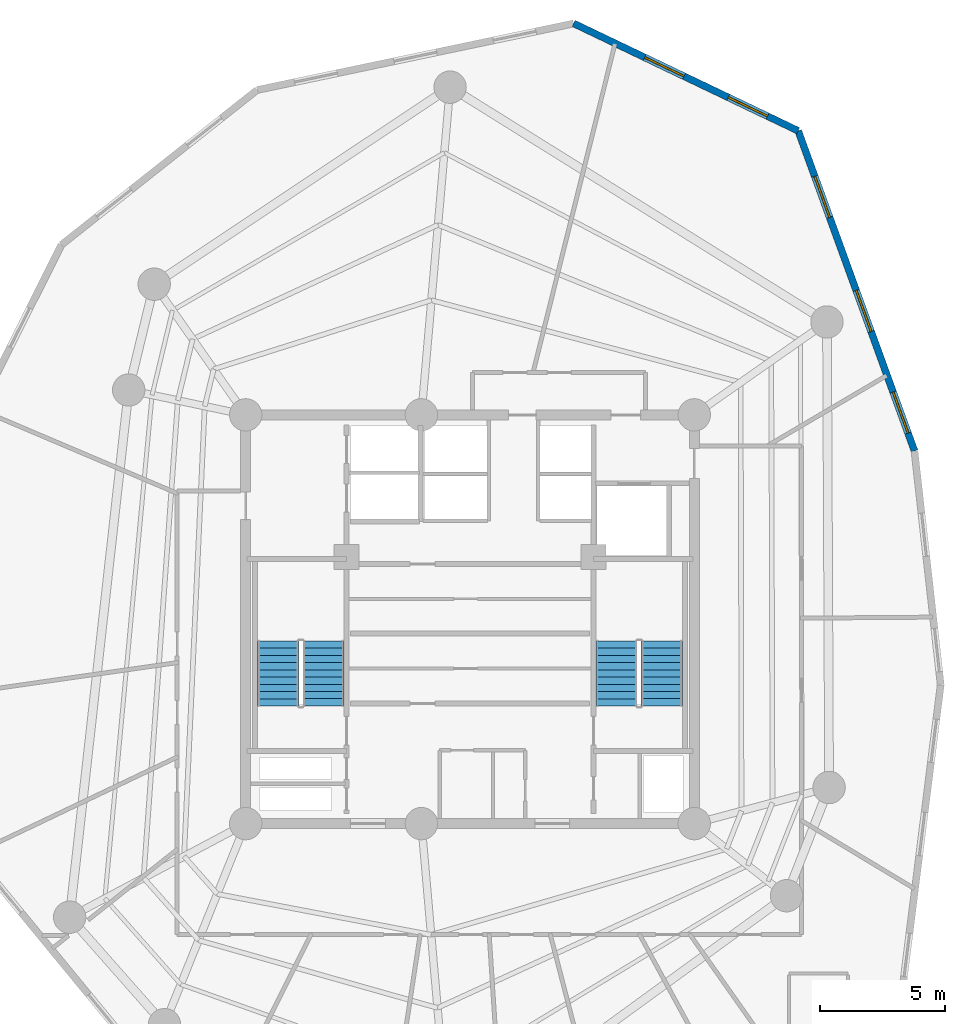
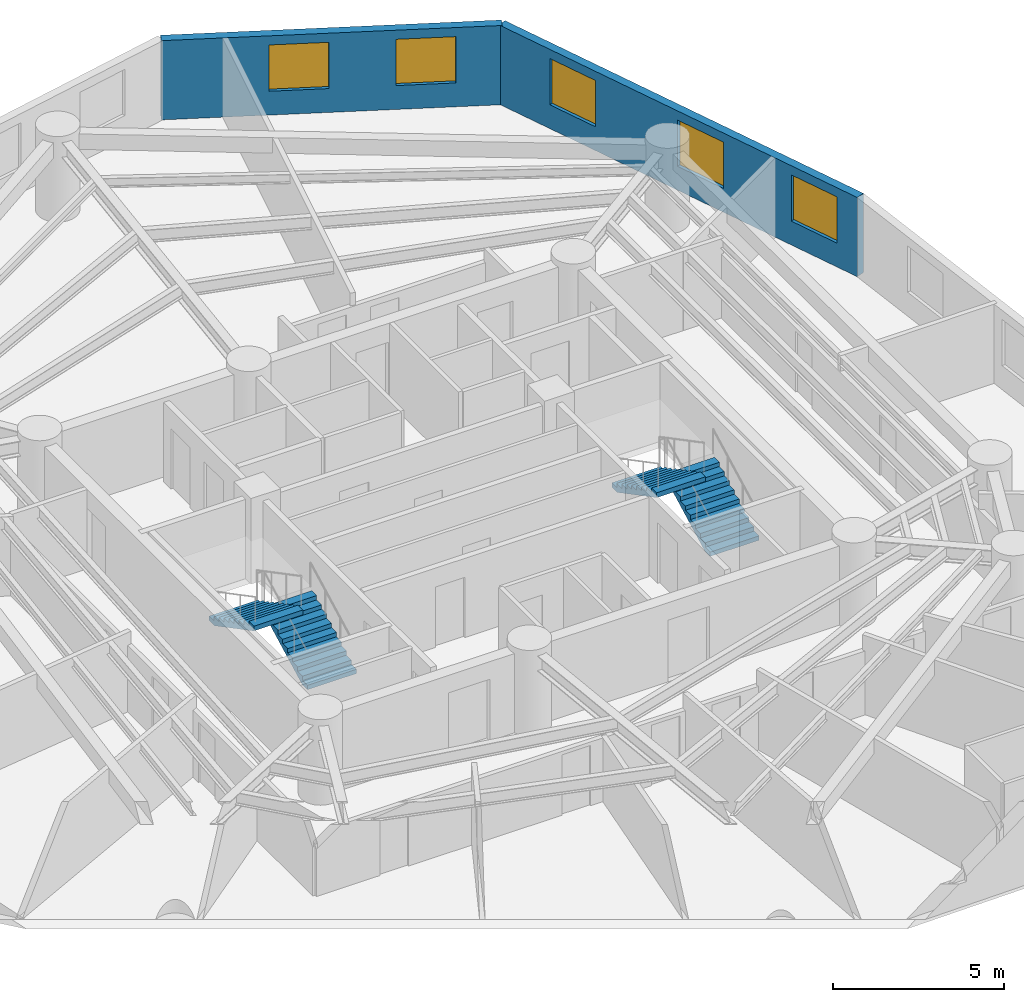
# One storey, part 6 of 7: 5 windows, 4 stair flights, 2 walls, 5 openings, 2 elements without a shape of their own.
"""IFC4 building model written with IfcOpenShell, lengths in metres."""

from ifc_helpers import new_model, si_unit, direction, frame, frame_2d, origin, origin_with_axes, place, context, subcontext, project, spatial, polyline, rectangle, outline, extrude, source, transform, mapped, material, layer, layer_set, type_object, element, fill, aggregate, save


model = new_model("IFC4")

# Units and contexts
model_context = context("Model", 3, precision=1e-05, world=origin(), true_north=direction((0.0, 1.0)))
body_context = subcontext(model_context, "Body", "Model", "MODEL_VIEW")
ifc_project = project(units=[si_unit("LENGTHUNIT", "METRE"), si_unit("AREAUNIT", "SQUARE_METRE"), si_unit("VOLUMEUNIT", "CUBIC_METRE"), si_unit("PLANEANGLEUNIT", "RADIAN"), si_unit("MASSUNIT", "GRAM", prefix="KILO")], contexts=[model_context])

# Site, building, storey
site_placement = place(None, origin())
site = spatial("IfcSite", under=ifc_project, at=site_placement, CompositionType="ELEMENT")
building_placement = place(site_placement, origin())
building = spatial("IfcBuilding", under=site, at=building_placement, Name="Karkom Vertical University and Central Library", CompositionType="ELEMENT")
storey_placement = place(building_placement, frame((0.0, 0.0, 202.300048828125)))
storey = spatial("IfcBuildingStorey", under=building, at=storey_placement, Name="L59", CompositionType="ELEMENT", Elevation=202.300048828125)

# Wall, openings, windows
ifc_material_1 = material(Name="Brick-faced precast concrete C45/55", Category="masonry")
ifc_layer = layer(ifc_material_1, 0.280029296875)
ifc_layer_set = layer_set([ifc_layer], Name="Brick-faced precast concrete C45/55")
wall_type = type_object("IfcWallType", Name="ENV-WL-BRK-280", PredefinedType="SOLIDWALL", material=ifc_layer_set)
wall_1_placement = place(storey_placement, frame((46.339111328125, 33.250732421875, 0.0), z_axis=(0.0, 0.0, 1.0), x_axis=(-0.341520791672, 0.9398742197, 0.0)))
wall_1 = element("IfcWall", 1, at=wall_1_placement, inside=storey, type_object=wall_type, Name="Level 59 Brick-Faced Precast Facade Wall 08", PredefinedType="SOLIDWALL", context=body_context, shape_type="SweptSolid", body=[
    extrude(rectangle(XDim=13.67041015625, YDim=0.280029296875, at=frame_2d((6.835205078125, 0.0))), origin(), (0.0, 0.0, 1.0), 2.824951171875),
])
opening_1_placement = place(wall_1_placement, frame((0.765380859375, 0.0, 0.85009765625)))
opening_1 = element("IfcOpeningElement", 2, at=opening_1_placement, cuts=wall_1, Name="Opening WN-08", PredefinedType="OPENING", context=body_context, shape_type="SweptSolid", body=[
    extrude(rectangle(XDim=1.75, YDim=1.64990234375, at=frame_2d((0.875, 0.824951171875))), frame((0.0, 0.14990234375, 0.0), z_axis=(0.0, -1.0, 0.0), x_axis=(1.0, 0.0, 0.0)), (0.0, 0.0, 1.0), 0.300048828125),
])
opening_2_placement = place(wall_1_placement, frame((5.10302734375, 0.0, 0.85009765625)))
opening_2 = element("IfcOpeningElement", 3, at=opening_2_placement, cuts=wall_1, Name="Opening WN-08", PredefinedType="OPENING", context=body_context, shape_type="SweptSolid", body=[
    extrude(rectangle(XDim=1.75, YDim=1.64990234375, at=frame_2d((0.875, 0.824951171875))), frame((0.0, 0.14990234375, 0.0), z_axis=(0.0, -1.0, 0.0), x_axis=(1.0, 0.0, 0.0)), (0.0, 0.0, 1.0), 0.300048828125),
])
opening_3_placement = place(wall_1_placement, frame((9.977783203125, 0.0, 0.85009765625)))
opening_3 = element("IfcOpeningElement", 4, at=opening_3_placement, cuts=wall_1, Name="Opening WN-08", PredefinedType="OPENING", context=body_context, shape_type="SweptSolid", body=[
    extrude(rectangle(XDim=1.75, YDim=1.64990234375, at=frame_2d((0.875, 0.824951171875))), frame((0.0, 0.14990234375, 0.0), z_axis=(0.0, -1.0, 0.0), x_axis=(1.0, 0.0, 0.0)), (0.0, 0.0, 1.0), 0.300048828125),
])
ifc_material_2 = material(Name="Aluminium thermal-break frame with solar-control IGU", Category="aluminium")
window_type = type_object("IfcWindowType", Name="ENV-WIN-WN-08", PartitioningType="SINGLE_PANEL", PredefinedType="WINDOW", material=ifc_material_2)
shared_shape = source(origin_with_axes(), body_context, "Body", "SweptSolid", [
    extrude(rectangle(XDim=1.75, YDim=1.64990234375, at=frame_2d((0.875, 0.824951171875))), frame((0.0, 0.030029296875, 0.0), z_axis=(0.0, -1.0, 0.0), x_axis=(1.0, 0.0, 0.0)), (0.0, 0.0, 1.0), 0.06005859375),
])
window_1_placement = place(opening_1_placement, origin())
window_1 = element("IfcWindow", 5, at=window_1_placement, inside=storey, type_object=window_type, Name="Level 59 Punched Window 8.1", OverallHeight=1.64990234375, OverallWidth=1.75, PartitioningType="SINGLE_PANEL", PredefinedType="WINDOW", context=body_context, shape_type="MappedRepresentation", body=[
    mapped(shared_shape, transform((0.0, 0.0, 0.0), scale=1.0)),
])
fill(opening_1, window_1)
window_2_placement = place(opening_2_placement, origin())
window_2 = element("IfcWindow", 6, at=window_2_placement, inside=storey, type_object=window_type, Name="Level 59 Punched Window 8.2", OverallHeight=1.64990234375, OverallWidth=1.75, PartitioningType="SINGLE_PANEL", PredefinedType="WINDOW", context=body_context, shape_type="MappedRepresentation", body=[
    mapped(shared_shape, transform((0.0, 0.0, 0.0), scale=1.0)),
])
fill(opening_2, window_2)
window_3_placement = place(opening_3_placement, origin())
window_3 = element("IfcWindow", 7, at=window_3_placement, inside=storey, type_object=window_type, Name="Level 59 Punched Window 8.3", OverallHeight=1.64990234375, OverallWidth=1.75, PartitioningType="SINGLE_PANEL", PredefinedType="WINDOW", context=body_context, shape_type="MappedRepresentation", body=[
    mapped(shared_shape, transform((0.0, 0.0, 0.0), scale=1.0)),
])
fill(opening_3, window_3)

wall_2_placement = place(storey_placement, frame((41.67041015625, 46.09912109375, 0.0), z_axis=(0.0, 0.0, 1.0), x_axis=(-0.902163587058, 0.431394091506, 0.0)))
wall_2 = element("IfcWall", 8, at=wall_2_placement, inside=storey, type_object=wall_type, Name="Level 59 Brick-Faced Precast Facade Wall 09", PredefinedType="SOLIDWALL", context=body_context, shape_type="SweptSolid", body=[
    extrude(rectangle(XDim=9.98876953125, YDim=0.280029296875, at=frame_2d((4.994384765625, 0.0))), origin(), (0.0, 0.0, 1.0), 2.824951171875),
])
opening_4_placement = place(wall_2_placement, frame((1.362548828125, 0.0, 0.85009765625)))
opening_4 = element("IfcOpeningElement", 9, at=opening_4_placement, cuts=wall_2, Name="Opening WN-08", PredefinedType="OPENING", context=body_context, shape_type="SweptSolid", body=[
    extrude(rectangle(XDim=1.75, YDim=1.64990234375, at=frame_2d((0.875, 0.824951171875))), frame((0.0, 0.14990234375, 0.0), z_axis=(0.0, -1.0, 0.0), x_axis=(1.0, 0.0, 0.0)), (0.0, 0.0, 1.0), 0.300048828125),
])
opening_5_placement = place(wall_2_placement, frame((5.077880859375, 0.0, 0.85009765625)))
opening_5 = element("IfcOpeningElement", 10, at=opening_5_placement, cuts=wall_2, Name="Opening WN-08", PredefinedType="OPENING", context=body_context, shape_type="SweptSolid", body=[
    extrude(rectangle(XDim=1.75, YDim=1.64990234375, at=frame_2d((0.875, 0.824951171875))), frame((0.0, 0.14990234375, 0.0), z_axis=(0.0, -1.0, 0.0), x_axis=(1.0, 0.0, 0.0)), (0.0, 0.0, 1.0), 0.300048828125),
])
window_4_placement = place(opening_4_placement, origin())
window_4 = element("IfcWindow", 11, at=window_4_placement, inside=storey, type_object=window_type, Name="Level 59 Punched Window 9.1", OverallHeight=1.64990234375, OverallWidth=1.75, PartitioningType="SINGLE_PANEL", PredefinedType="WINDOW", context=body_context, shape_type="MappedRepresentation", body=[
    mapped(shared_shape, transform((0.0, 0.0, 0.0), scale=1.0)),
])
fill(opening_4, window_4)
window_5_placement = place(opening_5_placement, origin())
window_5 = element("IfcWindow", 12, at=window_5_placement, inside=storey, type_object=window_type, Name="Level 59 Punched Window 9.2", OverallHeight=1.64990234375, OverallWidth=1.75, PartitioningType="SINGLE_PANEL", PredefinedType="WINDOW", context=body_context, shape_type="MappedRepresentation", body=[
    mapped(shared_shape, transform((0.0, 0.0, 0.0), scale=1.0)),
])
fill(opening_5, window_5)

# Stair, stair flights
ifc_material_3 = material(Name="Concrete C45/55", Category="concrete")
stair_type = type_object("IfcStairType", Name="INT-STR-ST-MAIN", PredefinedType="HALF_TURN_STAIR", material=ifc_material_3)
stair_1_placement = place(storey_placement, origin())
stair_1 = element("IfcStair", 13, at=stair_1_placement, inside=storey, type_object=stair_type, Name="Level 59 Tower Protected Exit Stair ST-1", PredefinedType="HALF_TURN_STAIR")
stair_flight_type = type_object("IfcStairFlightType", Name="INT-SFL-ST-MAIN", PredefinedType="STRAIGHT", material=ifc_material_3)
stair_flight_1_placement = place(storey_placement, frame((22.614990234375, 23.02001953125, 0.0), z_axis=(0.0, 0.0, 1.0), x_axis=(0.0, 1.0, 0.0)))
stair_flight_1 = element("IfcStairFlight", 14, at=stair_flight_1_placement, type_object=stair_flight_type, Name="ST-1 flight 1", NumberOfRisers=10, NumberOfTreads=9, PredefinedType="STRAIGHT", RiserHeight=0.1525, TreadLength=0.29, context=body_context, shape_type="SweptSolid", body=[
    extrude(outline(polyline([(0.0, 0.0), (0.0, 0.152587890625), (0.2900390625, 0.152587890625), (0.2900390625, 0.304931640625), (0.580078125, 0.304931640625), (0.580078125, 0.45751953125), (0.8701171875, 0.45751953125), (0.8701171875, 0.610107421875), (1.159912109375, 0.610107421875), (1.159912109375, 0.762451171875), (1.449951171875, 0.762451171875), (1.449951171875, 0.9150390625), (1.739990234375, 0.9150390625), (1.739990234375, 1.0673828125), (2.030029296875, 1.0673828125), (2.030029296875, 1.219970703125), (2.320068359375, 1.219970703125), (2.320068359375, 1.37255859375), (2.610107421875, 1.37255859375), (2.610107421875, 1.52490234375), (2.610107421875, 1.203125), (0.322021484375, 0.0), (0.0, 0.0)])), frame((0.0, 0.824951171875, 0.0), z_axis=(0.0, -1.0, 0.0), x_axis=(1.0, 0.0, 0.0)), (0.0, 0.0, 1.0), 1.64990234375),
])
stair_flight_2_placement = place(storey_placement, frame((20.804931640625, 25.6298828125, 1.52490234375), z_axis=(0.0, 0.0, 1.0), x_axis=(0.0, -1.0, 0.0)))
stair_flight_2 = element("IfcStairFlight", 15, at=stair_flight_2_placement, type_object=stair_flight_type, Name="ST-1 flight 2", NumberOfRisers=10, NumberOfTreads=9, PredefinedType="STRAIGHT", RiserHeight=0.1525, TreadLength=0.29, context=body_context, shape_type="SweptSolid", body=[
    extrude(outline(polyline([(0.0, 0.0), (0.0, 0.152587890625), (0.2900390625, 0.152587890625), (0.2900390625, 0.304931640625), (0.580078125, 0.304931640625), (0.580078125, 0.45751953125), (0.8701171875, 0.45751953125), (0.8701171875, 0.610107421875), (1.159912109375, 0.610107421875), (1.159912109375, 0.762451171875), (1.449951171875, 0.762451171875), (1.449951171875, 0.9150390625), (1.739990234375, 0.9150390625), (1.739990234375, 1.0673828125), (2.030029296875, 1.0673828125), (2.030029296875, 1.219970703125), (2.320068359375, 1.219970703125), (2.320068359375, 1.37255859375), (2.610107421875, 1.37255859375), (2.610107421875, 1.52490234375), (2.610107421875, 1.203125), (0.322021484375, 0.0), (0.0, 0.0)])), frame((0.0, 0.824951171875, 0.0), z_axis=(0.0, -1.0, 0.0), x_axis=(1.0, 0.0, 0.0)), (0.0, 0.0, 1.0), 1.64990234375),
])
aggregate(stair_1, [stair_flight_1, stair_flight_2])

stair_2_placement = place(storey_placement, origin())
stair_2 = element("IfcStair", 16, at=stair_2_placement, inside=storey, type_object=stair_type, Name="Level 59 Tower Protected Exit Stair ST-2", PredefinedType="HALF_TURN_STAIR")
stair_flight_3_placement = place(storey_placement, frame((36.195068359375, 23.02001953125, 0.0), z_axis=(0.0, 0.0, 1.0), x_axis=(0.0, 1.0, 0.0)))
stair_flight_3 = element("IfcStairFlight", 17, at=stair_flight_3_placement, type_object=stair_flight_type, Name="ST-2 flight 1", NumberOfRisers=10, NumberOfTreads=9, PredefinedType="STRAIGHT", RiserHeight=0.1525, TreadLength=0.29, context=body_context, shape_type="SweptSolid", body=[
    extrude(outline(polyline([(0.0, 0.0), (0.0, 0.152587890625), (0.2900390625, 0.152587890625), (0.2900390625, 0.304931640625), (0.580078125, 0.304931640625), (0.580078125, 0.45751953125), (0.8701171875, 0.45751953125), (0.8701171875, 0.610107421875), (1.159912109375, 0.610107421875), (1.159912109375, 0.762451171875), (1.449951171875, 0.762451171875), (1.449951171875, 0.9150390625), (1.739990234375, 0.9150390625), (1.739990234375, 1.0673828125), (2.030029296875, 1.0673828125), (2.030029296875, 1.219970703125), (2.320068359375, 1.219970703125), (2.320068359375, 1.37255859375), (2.610107421875, 1.37255859375), (2.610107421875, 1.52490234375), (2.610107421875, 1.203125), (0.322021484375, 0.0), (0.0, 0.0)])), frame((0.0, 0.824951171875, 0.0), z_axis=(0.0, -1.0, 0.0), x_axis=(1.0, 0.0, 0.0)), (0.0, 0.0, 1.0), 1.64990234375),
])
stair_flight_4_placement = place(storey_placement, frame((34.385009765625, 25.6298828125, 1.52490234375), z_axis=(0.0, 0.0, 1.0), x_axis=(0.0, -1.0, 0.0)))
stair_flight_4 = element("IfcStairFlight", 18, at=stair_flight_4_placement, type_object=stair_flight_type, Name="ST-2 flight 2", NumberOfRisers=10, NumberOfTreads=9, PredefinedType="STRAIGHT", RiserHeight=0.1525, TreadLength=0.29, context=body_context, shape_type="SweptSolid", body=[
    extrude(outline(polyline([(0.0, 0.0), (0.0, 0.152587890625), (0.2900390625, 0.152587890625), (0.2900390625, 0.304931640625), (0.580078125, 0.304931640625), (0.580078125, 0.45751953125), (0.8701171875, 0.45751953125), (0.8701171875, 0.610107421875), (1.159912109375, 0.610107421875), (1.159912109375, 0.762451171875), (1.449951171875, 0.762451171875), (1.449951171875, 0.9150390625), (1.739990234375, 0.9150390625), (1.739990234375, 1.0673828125), (2.030029296875, 1.0673828125), (2.030029296875, 1.219970703125), (2.320068359375, 1.219970703125), (2.320068359375, 1.37255859375), (2.610107421875, 1.37255859375), (2.610107421875, 1.52490234375), (2.610107421875, 1.203125), (0.322021484375, 0.0), (0.0, 0.0)])), frame((0.0, 0.824951171875, 0.0), z_axis=(0.0, -1.0, 0.0), x_axis=(1.0, 0.0, 0.0)), (0.0, 0.0, 1.0), 1.64990234375),
])
aggregate(stair_2, [stair_flight_3, stair_flight_4])

save(model, "model.ifc")
